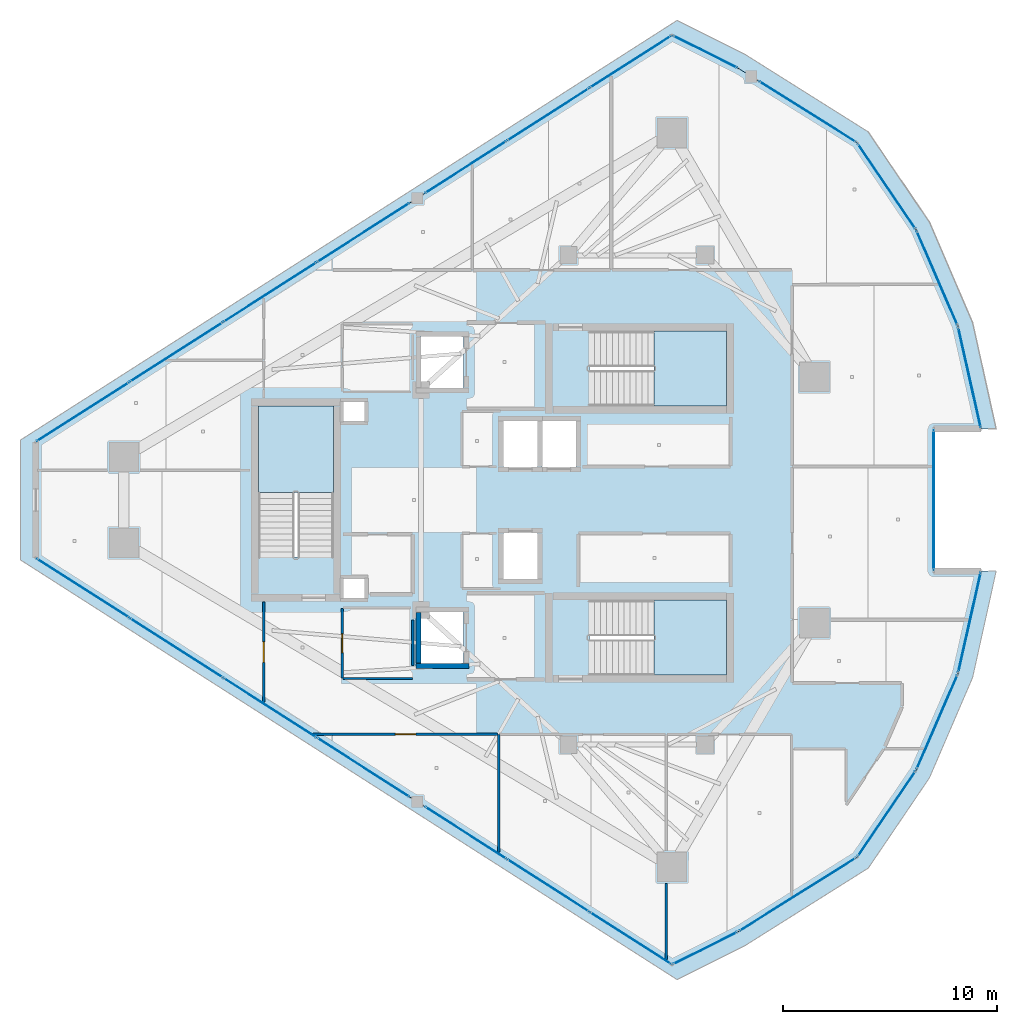
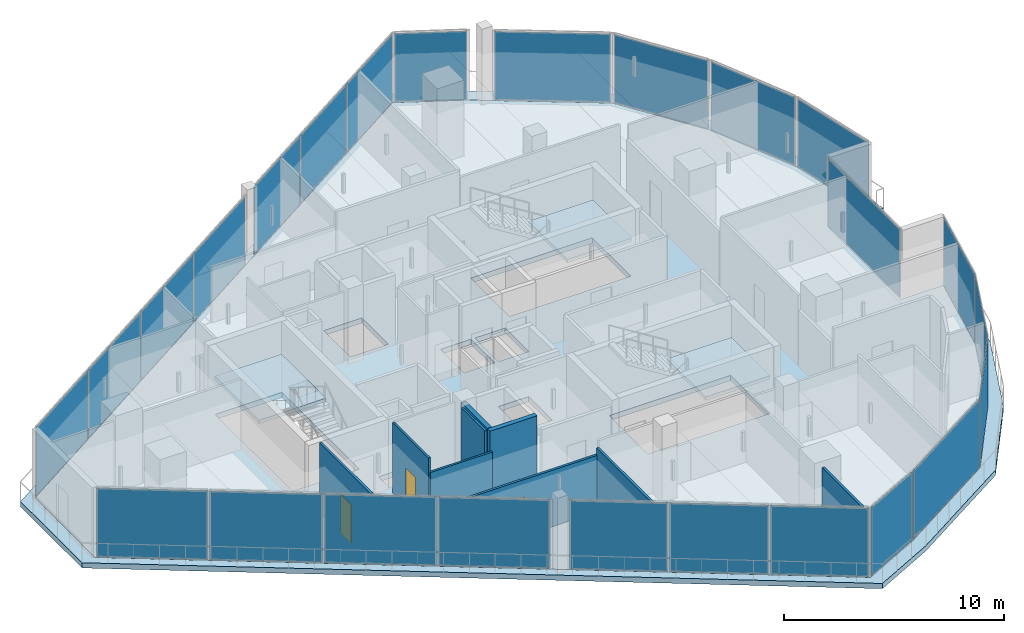
# One storey, part 14 of 23: 25 plates, 9 walls, 5 slabs, 3 doors, 3 openings, 18 elements without a shape of their own.
"""IFC4 building model written with IfcOpenShell, lengths in metres."""

from ifc_helpers import new_model, si_unit, direction, frame, frame_2d, origin, origin_2d, place, context, subcontext, project, spatial, polyline, rectangle, outline, extrude, material, layer, layer_set, type_object, element, fill, aggregate, save


model = new_model("IFC4")

# Units and contexts
model_context = context("Model", 3, precision=1e-05, world=origin(), true_north=direction((0.0, 1.0)))
body_context = subcontext(model_context, "Body", "Model", "MODEL_VIEW")
ifc_project = project(units=[si_unit("LENGTHUNIT", "METRE"), si_unit("AREAUNIT", "SQUARE_METRE"), si_unit("VOLUMEUNIT", "CUBIC_METRE"), si_unit("PLANEANGLEUNIT", "RADIAN"), si_unit("MASSUNIT", "GRAM", prefix="KILO")], contexts=[model_context])

# Site, building, storey
site_placement = place(None, origin())
site = spatial("IfcSite", under=ifc_project, at=site_placement, CompositionType="ELEMENT")
building_placement = place(site_placement, origin())
building = spatial("IfcBuilding", under=site, at=building_placement, Name="Qorvath Tower", CompositionType="ELEMENT")
storey_placement = place(building_placement, frame((0.0, 0.0, 310.199951171875)))
storey = spatial("IfcBuildingStorey", under=building, at=storey_placement, Name="L72", CompositionType="ELEMENT", Elevation=310.199951171875)

# Curtain wall, plates
ifc_material_1 = material(Name="Anodised aluminium and triple low-E glass", Category="aluminium")
ifc_layer_1 = layer(ifc_material_1, 0.179931640625)
ifc_layer_set_1 = layer_set([ifc_layer_1], Name="CW-SYS-4")
curtain_wall_type = type_object("IfcCurtainWallType", Name="CW-SYS-4", PredefinedType="NOTDEFINED", material=ifc_layer_set_1)
curtain_wall_1_placement = place(storey_placement, origin())
curtain_wall_1 = element("IfcCurtainWall", 1, at=curtain_wall_1_placement, inside=storey, type_object=curtain_wall_type, Name="Curtain Wall CW-4 CW-T-L72-2.1", PredefinedType="NOTDEFINED")
ifc_material_2 = material(Name="Acoustic laminated low-E glass", Category="glass")
ifc_layer_2 = layer(ifc_material_2, 0.0380859375)
ifc_layer_set_2 = layer_set([ifc_layer_2], Name="CWP-GLZ-38")
plate_type = type_object("IfcPlateType", Name="CWP-GLZ-38", PredefinedType="CURTAIN_PANEL", material=ifc_layer_set_2)
plate_1_placement = place(storey_placement, frame((-46.31689453125, -4.128662109375, 0.06494140625), z_axis=(0.0, 0.0, 1.0), x_axis=(0.842600938387, -0.538538446751, 0.0)))
plate_1 = element("IfcPlate", 2, at=plate_1_placement, type_object=plate_type, Name="CW-4 panel 1.1", PredefinedType="CURTAIN_PANEL", context=body_context, shape_type="SweptSolid", body=[
    extrude(rectangle(XDim=5.08740234375, YDim=0.0380859375, at=origin_2d()), origin(), (0.0, 0.0, 1.0), 3.780029296875),
])
plate_2_placement = place(storey_placement, frame((-41.951171875, -6.9189453125, 0.06494140625), z_axis=(0.0, 0.0, 1.0), x_axis=(0.842600938387, -0.538538446751, 0.0)))
plate_2 = element("IfcPlate", 3, at=plate_2_placement, type_object=plate_type, Name="CW-4 panel 2.1", PredefinedType="CURTAIN_PANEL", context=body_context, shape_type="SweptSolid", body=[
    extrude(rectangle(XDim=5.125, YDim=0.0380859375, at=origin_2d()), origin(), (0.0, 0.0, 1.0), 3.780029296875),
])
plate_3_placement = place(storey_placement, frame((-37.569580078125, -9.71923828125, 0.06494140625), z_axis=(0.0, 0.0, 1.0), x_axis=(0.842600938387, -0.538538446751, 0.0)))
plate_3 = element("IfcPlate", 4, at=plate_3_placement, type_object=plate_type, Name="CW-4 panel 3.1", PredefinedType="CURTAIN_PANEL", context=body_context, shape_type="SweptSolid", body=[
    extrude(rectangle(XDim=5.125, YDim=0.0380859375, at=origin_2d()), origin(), (0.0, 0.0, 1.0), 3.780029296875),
])
plate_4_placement = place(storey_placement, frame((-33.203857421875, -12.509521484375, 0.06494140625), z_axis=(0.0, 0.0, 1.0), x_axis=(0.842600938387, -0.538538446751, 0.0)))
plate_4 = element("IfcPlate", 5, at=plate_4_placement, type_object=plate_type, Name="CW-4 panel 4.1", PredefinedType="CURTAIN_PANEL", context=body_context, shape_type="SweptSolid", body=[
    extrude(rectangle(XDim=5.08740234375, YDim=0.0380859375, at=origin_2d()), origin(), (0.0, 0.0, 1.0), 3.780029296875),
])
aggregate(curtain_wall_1, [plate_1, plate_2, plate_3, plate_4])

curtain_wall_2_placement = place(storey_placement, origin())
curtain_wall_2 = element("IfcCurtainWall", 6, at=curtain_wall_2_placement, inside=storey, type_object=curtain_wall_type, Name="Curtain Wall CW-4 CW-T-L72-2.2", PredefinedType="NOTDEFINED")
plate_5_placement = place(storey_placement, frame((-28.406982421875, -15.5751953125, 0.06494140625), z_axis=(0.0, 0.0, 1.0), x_axis=(0.842605482847, -0.538531336391, 0.0)))
plate_5 = element("IfcPlate", 7, at=plate_5_placement, type_object=plate_type, Name="CW-4 panel 1.1", PredefinedType="CURTAIN_PANEL", context=body_context, shape_type="SweptSolid", body=[
    extrude(rectangle(XDim=4.478759765625, YDim=0.0380859375, at=origin_2d()), origin(), (0.0, 0.0, 1.0), 3.780029296875),
])
plate_6_placement = place(storey_placement, frame((-24.55419921875, -18.037841796875, 0.06494140625), z_axis=(0.0, 0.0, 1.0), x_axis=(0.842605482847, -0.538531336391, 0.0)))
plate_6 = element("IfcPlate", 8, at=plate_6_placement, type_object=plate_type, Name="CW-4 panel 2.1", PredefinedType="CURTAIN_PANEL", context=body_context, shape_type="SweptSolid", body=[
    extrude(rectangle(XDim=4.516357421875, YDim=0.0380859375, at=origin_2d()), origin(), (0.0, 0.0, 1.0), 3.780029296875),
])
plate_7_placement = place(storey_placement, frame((-20.701416015625, -20.500244140625, 0.06494140625), z_axis=(0.0, 0.0, 1.0), x_axis=(0.842605482847, -0.538531336391, 0.0)))
plate_7 = element("IfcPlate", 9, at=plate_7_placement, type_object=plate_type, Name="CW-4 panel 3.1", PredefinedType="CURTAIN_PANEL", context=body_context, shape_type="SweptSolid", body=[
    extrude(rectangle(XDim=4.478759765625, YDim=0.0380859375, at=origin_2d()), origin(), (0.0, 0.0, 1.0), 3.780029296875),
])
aggregate(curtain_wall_2, [plate_5, plate_6, plate_7])

# Curtain wall, plate
curtain_wall_3_placement = place(storey_placement, origin())
curtain_wall_3 = element("IfcCurtainWall", 10, at=curtain_wall_3_placement, inside=storey, type_object=curtain_wall_type, Name="Curtain Wall CW-4 CW-T-L72-3.1", PredefinedType="NOTDEFINED")
plate_8_placement = place(storey_placement, frame((-17.19775390625, -20.969970703125, 0.06494140625), z_axis=(0.0, 0.0, 1.0), x_axis=(0.894455978485, 0.447156015897, 0.0)))
plate_8 = element("IfcPlate", 11, at=plate_8_placement, type_object=plate_type, Name="CW-4 panel 1.1", PredefinedType="CURTAIN_PANEL", context=body_context, shape_type="SweptSolid", body=[
    extrude(rectangle(XDim=3.323486328125, YDim=0.0380859375, at=origin_2d()), origin(), (0.0, 0.0, 1.0), 3.780029296875),
])
aggregate(curtain_wall_3, [plate_8])

curtain_wall_4_placement = place(storey_placement, origin())
curtain_wall_4 = element("IfcCurtainWall", 12, at=curtain_wall_4_placement, inside=storey, type_object=curtain_wall_type, Name="Curtain Wall CW-4 CW-T-L72-4.1", PredefinedType="NOTDEFINED")
plate_9_placement = place(storey_placement, frame((-12.869384765625, -18.452880859375, 0.06494140625), z_axis=(0.0, 0.0, 1.0), x_axis=(0.847153359291, 0.531348459903, 0.0)))
plate_9 = element("IfcPlate", 13, at=plate_9_placement, type_object=plate_type, Name="CW-4 panel 1.1", PredefinedType="CURTAIN_PANEL", context=body_context, shape_type="SweptSolid", body=[
    extrude(rectangle(XDim=6.40087890625, YDim=0.0380859375, at=origin_2d()), origin(), (0.0, 0.0, 1.0), 3.780029296875),
])
aggregate(curtain_wall_4, [plate_9])

curtain_wall_5_placement = place(storey_placement, origin())
curtain_wall_5 = element("IfcCurtainWall", 14, at=curtain_wall_5_placement, inside=storey, type_object=curtain_wall_type, Name="Curtain Wall CW-4 CW-T-L72-5.1", PredefinedType="NOTDEFINED")
plate_10_placement = place(storey_placement, frame((-8.71240234375, -14.67822265625, 0.06494140625), z_axis=(0.0, 0.0, 1.0), x_axis=(0.562025288166, 0.827120049002, 0.0)))
plate_10 = element("IfcPlate", 15, at=plate_10_placement, type_object=plate_type, Name="CW-4 panel 1.1", PredefinedType="CURTAIN_PANEL", context=body_context, shape_type="SweptSolid", body=[
    extrude(rectangle(XDim=4.76904296875, YDim=0.0380859375, at=origin_2d()), origin(), (0.0, 0.0, 1.0), 3.780029296875),
])
aggregate(curtain_wall_5, [plate_10])

curtain_wall_6_placement = place(storey_placement, origin())
curtain_wall_6 = element("IfcCurtainWall", 16, at=curtain_wall_6_placement, inside=storey, type_object=curtain_wall_type, Name="Curtain Wall CW-4 CW-T-L72-6.1", PredefinedType="NOTDEFINED")
plate_11_placement = place(storey_placement, frame((-6.351806640625, -10.387451171875, 0.06494140625), z_axis=(0.0, 0.0, 1.0), x_axis=(0.397765464938, 0.917487130647, 0.0)))
plate_11 = element("IfcPlate", 17, at=plate_11_placement, type_object=plate_type, Name="CW-4 panel 1.1", PredefinedType="CURTAIN_PANEL", context=body_context, shape_type="SweptSolid", body=[
    extrude(rectangle(XDim=4.76904296875, YDim=0.0380859375, at=origin_2d()), origin(), (0.0, 0.0, 1.0), 3.780029296875),
])
aggregate(curtain_wall_6, [plate_11])

curtain_wall_7_placement = place(storey_placement, origin())
curtain_wall_7 = element("IfcCurtainWall", 18, at=curtain_wall_7_placement, inside=storey, type_object=curtain_wall_type, Name="Curtain Wall CW-4 CW-T-L72-7.1", PredefinedType="NOTDEFINED")
plate_12_placement = place(storey_placement, frame((-4.833740234375, -5.7314453125, 0.06494140625), z_axis=(0.0, 0.0, 1.0), x_axis=(0.219473979449, 0.975618353838, 0.0)))
plate_12 = element("IfcPlate", 19, at=plate_12_placement, type_object=plate_type, Name="CW-4 panel 1.1", PredefinedType="CURTAIN_PANEL", context=body_context, shape_type="SweptSolid", body=[
    extrude(rectangle(XDim=4.76904296875, YDim=0.0380859375, at=origin_2d()), origin(), (0.0, 0.0, 1.0), 3.780029296875),
])
aggregate(curtain_wall_7, [plate_12])

curtain_wall_8_placement = place(storey_placement, origin())
curtain_wall_8 = element("IfcCurtainWall", 20, at=curtain_wall_8_placement, inside=storey, type_object=curtain_wall_type, Name="Curtain Wall CW-4 CW-T-L72-9.1", PredefinedType="NOTDEFINED")
plate_13_placement = place(storey_placement, frame((-6.51513671875, 0.0, 0.06494140625), z_axis=(0.0, 0.0, 1.0), x_axis=(0.0, 1.0, 0.0)))
plate_13 = element("IfcPlate", 21, at=plate_13_placement, type_object=plate_type, Name="CW-4 panel 1.1", PredefinedType="CURTAIN_PANEL", context=body_context, shape_type="SweptSolid", body=[
    extrude(rectangle(XDim=6.513671875, YDim=0.0380859375, at=origin_2d()), origin(), (0.0, 0.0, 1.0), 3.780029296875),
])
aggregate(curtain_wall_8, [plate_13])

curtain_wall_9_placement = place(storey_placement, origin())
curtain_wall_9 = element("IfcCurtainWall", 22, at=curtain_wall_9_placement, inside=storey, type_object=curtain_wall_type, Name="Curtain Wall CW-4 CW-T-L72-11.1", PredefinedType="NOTDEFINED")
plate_14_placement = place(storey_placement, frame((-4.833740234375, 5.7314453125, 0.06494140625), z_axis=(0.0, 0.0, 1.0), x_axis=(-0.219473979449, 0.975618353838, 0.0)))
plate_14 = element("IfcPlate", 23, at=plate_14_placement, type_object=plate_type, Name="CW-4 panel 1.1", PredefinedType="CURTAIN_PANEL", context=body_context, shape_type="SweptSolid", body=[
    extrude(rectangle(XDim=4.76904296875, YDim=0.0380859375, at=origin_2d()), origin(), (0.0, 0.0, 1.0), 3.780029296875),
])
aggregate(curtain_wall_9, [plate_14])

curtain_wall_10_placement = place(storey_placement, origin())
curtain_wall_10 = element("IfcCurtainWall", 24, at=curtain_wall_10_placement, inside=storey, type_object=curtain_wall_type, Name="Curtain Wall CW-4 CW-T-L72-12.1", PredefinedType="NOTDEFINED")
plate_15_placement = place(storey_placement, frame((-6.351806640625, 10.387451171875, 0.06494140625), z_axis=(0.0, 0.0, 1.0), x_axis=(-0.397765464938, 0.917487130647, 0.0)))
plate_15 = element("IfcPlate", 25, at=plate_15_placement, type_object=plate_type, Name="CW-4 panel 1.1", PredefinedType="CURTAIN_PANEL", context=body_context, shape_type="SweptSolid", body=[
    extrude(rectangle(XDim=4.76904296875, YDim=0.0380859375, at=origin_2d()), origin(), (0.0, 0.0, 1.0), 3.780029296875),
])
aggregate(curtain_wall_10, [plate_15])

curtain_wall_11_placement = place(storey_placement, origin())
curtain_wall_11 = element("IfcCurtainWall", 26, at=curtain_wall_11_placement, inside=storey, type_object=curtain_wall_type, Name="Curtain Wall CW-4 CW-T-L72-13.1", PredefinedType="NOTDEFINED")
plate_16_placement = place(storey_placement, frame((-8.71240234375, 14.67822265625, 0.06494140625), z_axis=(0.0, 0.0, 1.0), x_axis=(-0.562025288166, 0.827120049002, 0.0)))
plate_16 = element("IfcPlate", 27, at=plate_16_placement, type_object=plate_type, Name="CW-4 panel 1.1", PredefinedType="CURTAIN_PANEL", context=body_context, shape_type="SweptSolid", body=[
    extrude(rectangle(XDim=4.76904296875, YDim=0.0380859375, at=origin_2d()), origin(), (0.0, 0.0, 1.0), 3.780029296875),
])
aggregate(curtain_wall_11, [plate_16])

curtain_wall_12_placement = place(storey_placement, origin())
curtain_wall_12 = element("IfcCurtainWall", 28, at=curtain_wall_12_placement, inside=storey, type_object=curtain_wall_type, Name="Curtain Wall CW-4 CW-T-L72-14.1", PredefinedType="NOTDEFINED")
plate_17_placement = place(storey_placement, frame((-12.410400390625, 18.1650390625, 0.06494140625), z_axis=(0.0, 0.0, 1.0), x_axis=(-0.847160763256, 0.531336655238, 0.0)))
plate_17 = element("IfcPlate", 29, at=plate_17_placement, type_object=plate_type, Name="CW-4 panel 1.1", PredefinedType="CURTAIN_PANEL", context=body_context, shape_type="SweptSolid", body=[
    extrude(rectangle(XDim=5.31689453125, YDim=0.0380859375, at=origin_2d()), origin(), (0.0, 0.0, 1.0), 3.780029296875),
])
aggregate(curtain_wall_12, [plate_17])

curtain_wall_13_placement = place(storey_placement, origin())
curtain_wall_13 = element("IfcCurtainWall", 30, at=curtain_wall_13_placement, inside=storey, type_object=curtain_wall_type, Name="Curtain Wall CW-4 CW-T-L72-15.1", PredefinedType="NOTDEFINED")
plate_18_placement = place(storey_placement, frame((-17.19775390625, 20.969970703125, 0.06494140625), z_axis=(0.0, 0.0, 1.0), x_axis=(-0.894455978485, 0.447156015897, 0.0)))
plate_18 = element("IfcPlate", 31, at=plate_18_placement, type_object=plate_type, Name="CW-4 panel 1.1", PredefinedType="CURTAIN_PANEL", context=body_context, shape_type="SweptSolid", body=[
    extrude(rectangle(XDim=3.323486328125, YDim=0.0380859375, at=origin_2d()), origin(), (0.0, 0.0, 1.0), 3.780029296875),
])
aggregate(curtain_wall_13, [plate_18])

# Curtain wall, plates
curtain_wall_14_placement = place(storey_placement, origin())
curtain_wall_14 = element("IfcCurtainWall", 32, at=curtain_wall_14_placement, inside=storey, type_object=curtain_wall_type, Name="Curtain Wall CW-4 CW-T-L72-16.1", PredefinedType="NOTDEFINED")
plate_19_placement = place(storey_placement, frame((-20.701416015625, 20.500244140625, 0.06494140625), z_axis=(0.0, 0.0, 1.0), x_axis=(-0.842605482847, -0.538531336391, 0.0)))
plate_19 = element("IfcPlate", 33, at=plate_19_placement, type_object=plate_type, Name="CW-4 panel 1.1", PredefinedType="CURTAIN_PANEL", context=body_context, shape_type="SweptSolid", body=[
    extrude(rectangle(XDim=4.478759765625, YDim=0.0380859375, at=origin_2d()), origin(), (0.0, 0.0, 1.0), 3.780029296875),
])
plate_20_placement = place(storey_placement, frame((-24.55419921875, 18.037841796875, 0.06494140625), z_axis=(0.0, 0.0, 1.0), x_axis=(-0.842605482847, -0.538531336391, 0.0)))
plate_20 = element("IfcPlate", 34, at=plate_20_placement, type_object=plate_type, Name="CW-4 panel 2.1", PredefinedType="CURTAIN_PANEL", context=body_context, shape_type="SweptSolid", body=[
    extrude(rectangle(XDim=4.516357421875, YDim=0.0380859375, at=origin_2d()), origin(), (0.0, 0.0, 1.0), 3.780029296875),
])
plate_21_placement = place(storey_placement, frame((-28.406982421875, 15.5751953125, 0.06494140625), z_axis=(0.0, 0.0, 1.0), x_axis=(-0.842605482847, -0.538531336391, 0.0)))
plate_21 = element("IfcPlate", 35, at=plate_21_placement, type_object=plate_type, Name="CW-4 panel 3.1", PredefinedType="CURTAIN_PANEL", context=body_context, shape_type="SweptSolid", body=[
    extrude(rectangle(XDim=4.478759765625, YDim=0.0380859375, at=origin_2d()), origin(), (0.0, 0.0, 1.0), 3.780029296875),
])
aggregate(curtain_wall_14, [plate_19, plate_20, plate_21])

curtain_wall_15_placement = place(storey_placement, origin())
curtain_wall_15 = element("IfcCurtainWall", 36, at=curtain_wall_15_placement, inside=storey, type_object=curtain_wall_type, Name="Curtain Wall CW-4 CW-T-L72-16.2", PredefinedType="NOTDEFINED")
plate_22_placement = place(storey_placement, frame((-33.203857421875, 12.509521484375, 0.06494140625), z_axis=(0.0, 0.0, 1.0), x_axis=(-0.842600938387, -0.538538446751, 0.0)))
plate_22 = element("IfcPlate", 37, at=plate_22_placement, type_object=plate_type, Name="CW-4 panel 1.1", PredefinedType="CURTAIN_PANEL", context=body_context, shape_type="SweptSolid", body=[
    extrude(rectangle(XDim=5.08740234375, YDim=0.0380859375, at=origin_2d()), origin(), (0.0, 0.0, 1.0), 3.780029296875),
])
plate_23_placement = place(storey_placement, frame((-37.569580078125, 9.71923828125, 0.06494140625), z_axis=(0.0, 0.0, 1.0), x_axis=(-0.842600938387, -0.538538446751, 0.0)))
plate_23 = element("IfcPlate", 38, at=plate_23_placement, type_object=plate_type, Name="CW-4 panel 2.1", PredefinedType="CURTAIN_PANEL", context=body_context, shape_type="SweptSolid", body=[
    extrude(rectangle(XDim=5.125, YDim=0.0380859375, at=origin_2d()), origin(), (0.0, 0.0, 1.0), 3.780029296875),
])
plate_24_placement = place(storey_placement, frame((-41.951171875, 6.9189453125, 0.06494140625), z_axis=(0.0, 0.0, 1.0), x_axis=(-0.842600938387, -0.538538446751, 0.0)))
plate_24 = element("IfcPlate", 39, at=plate_24_placement, type_object=plate_type, Name="CW-4 panel 3.1", PredefinedType="CURTAIN_PANEL", context=body_context, shape_type="SweptSolid", body=[
    extrude(rectangle(XDim=5.125, YDim=0.0380859375, at=origin_2d()), origin(), (0.0, 0.0, 1.0), 3.780029296875),
])
plate_25_placement = place(storey_placement, frame((-46.31689453125, 4.128662109375, 0.06494140625), z_axis=(0.0, 0.0, 1.0), x_axis=(-0.842600938387, -0.538538446751, 0.0)))
plate_25 = element("IfcPlate", 40, at=plate_25_placement, type_object=plate_type, Name="CW-4 panel 4.1", PredefinedType="CURTAIN_PANEL", context=body_context, shape_type="SweptSolid", body=[
    extrude(rectangle(XDim=5.08740234375, YDim=0.0380859375, at=origin_2d()), origin(), (0.0, 0.0, 1.0), 3.780029296875),
])
aggregate(curtain_wall_15, [plate_22, plate_23, plate_24, plate_25])

# Slab
ifc_material_3 = material(Name="Concrete C50/60", Category="concrete")
ifc_layer_3 = layer(ifc_material_3, 0.2900390625)
ifc_layer_set_3 = layer_set([ifc_layer_3], Name="SL-EXEC-290")
slab_type_1 = type_object("IfcSlabType", Name="SL-EXEC-290", PredefinedType="FLOOR", material=ifc_layer_set_3)
slab_1_placement = place(storey_placement, frame((0.0, 0.0, -0.2900390625)))
element("IfcSlab", 41, at=slab_1_placement, inside=storey, type_object=slab_type_1, Name="Tower L72 Interior Floor Slab", PredefinedType="FLOOR", context=body_context, shape_type="SweptSolid", body=[
    extrude(outline(polyline([(-48.5234375, 2.71826171875), (-48.5234375, -2.71826171875), (-18.751220703125, -21.74658203125), (-15.644287109375, -20.193359375), (-10.0947265625, -16.712646484375), (-7.330078125, -12.64404296875), (-5.37353515625, -8.130859375), (-4.2939453125, -3.331787109375), (-6.51513671875, -3.331787109375), (-6.51513671875, 3.331787109375), (-4.2939453125, 3.331787109375), (-5.37353515625, 8.130859375), (-7.330078125, 12.64404296875), (-10.0947265625, 16.712646484375), (-15.644287109375, 20.193359375), (-18.751220703125, 21.74658203125), (-48.5234375, 2.71826171875)]), holes=[polyline([(-16.2451171875, -8.199951171875), (-22.625, -8.199951171875), (-22.625, -4.68994140625), (-16.2451171875, -4.68994140625), (-16.2451171875, -8.199951171875)]), polyline([(-22.625, 4.39990234375), (-22.625, 7.909912109375), (-16.2451171875, 7.909912109375), (-16.2451171875, 4.39990234375), (-22.625, 4.39990234375)]), polyline([(-23.25, 1.550048828125), (-24.85009765625, 1.550048828125), (-24.85009765625, 3.699951171875), (-23.25, 3.699951171875), (-23.25, 1.550048828125)]), polyline([(-26.64990234375, -3.699951171875), (-26.64990234375, -1.550048828125), (-25.050048828125, -1.550048828125), (-25.050048828125, -3.699951171875), (-26.64990234375, -3.699951171875)]), polyline([(-25.050048828125, 1.550048828125), (-26.64990234375, 1.550048828125), (-26.64990234375, 3.699951171875), (-25.050048828125, 3.699951171875), (-25.050048828125, 1.550048828125)]), polyline([(-28.5, -7.64990234375), (-30.5, -7.64990234375), (-30.5, -5.25), (-28.5, -5.25), (-28.5, -7.64990234375)]), polyline([(-30.5, 5.25), (-30.5, 7.64990234375), (-28.5, 7.64990234375), (-28.5, 5.25), (-30.5, 5.25)]), polyline([(-33.10009765625, -4.6201171875), (-34.14990234375, -4.6201171875), (-34.14990234375, -3.64990234375), (-33.10009765625, -3.64990234375), (-33.10009765625, -4.6201171875)]), polyline([(-33.10009765625, 3.64990234375), (-34.14990234375, 3.64990234375), (-34.14990234375, 4.6201171875), (-33.10009765625, 4.6201171875), (-33.10009765625, 3.64990234375)]), polyline([(-34.60009765625, -2.675048828125), (-38.110107421875, -2.675048828125), (-38.110107421875, 4.35498046875), (-34.60009765625, 4.35498046875), (-34.60009765625, -2.675048828125)])]), origin(), (0.0, 0.0, 1.0), 0.2900390625),
])

# Stair, slab
ifc_material_4 = material(Name="Concrete C50/60", Category="concrete")
stair_type = type_object("IfcStairType", Name="ST-H420", PredefinedType="HALF_TURN_STAIR", material=ifc_material_4)
stair_1_placement = place(storey_placement, origin())
stair_1 = element("IfcStair", 42, at=stair_1_placement, inside=storey, type_object=stair_type, Name="L72 Tower Exit Stair 1", PredefinedType="HALF_TURN_STAIR")
ifc_material_5 = material(Name="Concrete C50/60", Category="concrete")
ifc_layer_4 = layer(ifc_material_5, 0.199951171875)
ifc_layer_set_4 = layer_set([ifc_layer_4], Name="SL-LND-200")
slab_type_2 = type_object("IfcSlabType", Name="SL-LND-200", PredefinedType="LANDING", material=ifc_layer_set_4)
slab_2_placement = place(storey_placement, frame((0.0, 0.0, 1.900146484375)))
slab_2 = element("IfcSlab", 43, at=slab_2_placement, type_object=slab_type_2, Name="TS1 landing 1", PredefinedType="LANDING", context=body_context, shape_type="SweptSolid", body=[
    extrude(outline(polyline([(-19.590087890625, 4.39990234375), (-16.199951171875, 4.39990234375), (-16.199951171875, 7.909912109375), (-19.590087890625, 7.909912109375), (-19.590087890625, 4.39990234375)])), origin(), (0.0, 0.0, 1.0), 0.199951171875),
])
aggregate(stair_1, [slab_2])

stair_2_placement = place(storey_placement, origin())
stair_2 = element("IfcStair", 44, at=stair_2_placement, inside=storey, type_object=stair_type, Name="L72 Tower Exit Stair 2", PredefinedType="HALF_TURN_STAIR")
slab_3_placement = place(storey_placement, frame((0.0, 0.0, 1.900146484375)))
slab_3 = element("IfcSlab", 45, at=slab_3_placement, type_object=slab_type_2, Name="TS2 landing 1", PredefinedType="LANDING", context=body_context, shape_type="SweptSolid", body=[
    extrude(outline(polyline([(-19.590087890625, -8.199951171875), (-16.199951171875, -8.199951171875), (-16.199951171875, -4.68994140625), (-19.590087890625, -4.68994140625), (-19.590087890625, -8.199951171875)])), origin(), (0.0, 0.0, 1.0), 0.199951171875),
])
aggregate(stair_2, [slab_3])

stair_3_placement = place(storey_placement, origin())
stair_3 = element("IfcStair", 46, at=stair_3_placement, inside=storey, type_object=stair_type, Name="L72 Tower Exit Stair 3", PredefinedType="HALF_TURN_STAIR")
slab_4_placement = place(storey_placement, frame((0.0, 0.0, 1.900146484375)))
slab_4 = element("IfcSlab", 47, at=slab_4_placement, type_object=slab_type_2, Name="TS3 landing 1", PredefinedType="LANDING", context=body_context, shape_type="SweptSolid", body=[
    extrude(outline(polyline([(-34.60009765625, 0.360107421875), (-34.60009765625, 4.39990234375), (-38.110107421875, 4.39990234375), (-38.110107421875, 0.360107421875), (-34.60009765625, 0.360107421875)])), origin(), (0.0, 0.0, 1.0), 0.199951171875),
])
aggregate(stair_3, [slab_4])

# Slab
ifc_material_6 = material(Name="Precast concrete C45/55", Category="concrete")
ifc_layer_5 = layer(ifc_material_6, 0.2900390625)
ifc_layer_set_5 = layer_set([ifc_layer_5], Name="SL-LOG-290")
slab_type_3 = type_object("IfcSlabType", Name="SL-LOG-290", PredefinedType="FLOOR", material=ifc_layer_set_5)
slab_5_placement = place(storey_placement, frame((0.0, 0.0, -0.2900390625)))
element("IfcSlab", 48, at=slab_5_placement, inside=storey, type_object=slab_type_3, Name="Tower L72 Perimeter Loggia and Terrace Slab", PredefinedType="FLOOR", context=body_context, shape_type="SweptSolid", body=[
    extrude(outline(polyline([(-15.31494140625, 20.835693359375), (-18.5205078125, 22.4384765625), (-49.23974609375, 2.8046875), (-49.23974609375, -2.8046875), (-18.5205078125, -22.4384765625), (-15.31494140625, -20.835693359375), (-9.57177734375, -17.2236328125), (-6.71044921875, -12.99951171875), (-4.692626953125, -8.313232421875), (-3.590087890625, -3.331787109375), (-4.2939453125, -3.331787109375), (-5.37353515625, -8.130859375), (-7.330078125, -12.64404296875), (-10.0947265625, -16.712646484375), (-15.644287109375, -20.193359375), (-18.751220703125, -21.74658203125), (-48.5234375, -2.71826171875), (-48.5234375, 2.71826171875), (-18.751220703125, 21.74658203125), (-15.644287109375, 20.193359375), (-10.0947265625, 16.712646484375), (-7.330078125, 12.64404296875), (-5.37353515625, 8.130859375), (-4.2939453125, 3.331787109375), (-3.590087890625, 3.331787109375), (-4.692626953125, 8.313232421875), (-6.71044921875, 12.99951171875), (-9.57177734375, 17.2236328125), (-15.31494140625, 20.835693359375)])), origin(), (0.0, 0.0, 1.0), 0.2900390625),
])

# Wall
ifc_material_7 = material(Name="Gypsum board on metal studs with mineral wool", Category="gypsum")
ifc_layer_6 = layer(ifc_material_7, 0.125)
ifc_layer_set_6 = layer_set([ifc_layer_6], Name="IW-PART-125")
wall_type_1 = type_object("IfcWallType", Name="IW-PART-125", PredefinedType="PARTITIONING", material=ifc_layer_set_6)
wall_1_placement = place(storey_placement, frame((-26.864990234375, -16.48095703125, 0.0), z_axis=(0.0, 0.0, 1.0), x_axis=(0.0, 1.0, 0.0)))
element("IfcWall", 49, at=wall_1_placement, inside=storey, type_object=wall_type_1, Name="Interior Partition IW-T1-L72-033", PredefinedType="PARTITIONING", context=body_context, shape_type="SweptSolid", body=[
    extrude(rectangle(XDim=5.498046875, YDim=0.125, at=frame_2d((2.7490234375, 0.0))), origin(), (0.0, 0.0, 1.0), 3.529052734375),
])

# Wall, opening, door
wall_2_placement = place(storey_placement, frame((-26.889892578125, -10.9580078125, 0.0), z_axis=(0.0, 0.0, 1.0), x_axis=(-1.0, 0.0, 0.0)))
wall_2 = element("IfcWall", 50, at=wall_2_placement, inside=storey, type_object=wall_type_1, Name="Interior Partition IW-T1-L72-034", PredefinedType="PARTITIONING", context=body_context, shape_type="SweptSolid", body=[
    extrude(rectangle(XDim=8.661376953125, YDim=0.125, at=frame_2d((4.33056640625, 0.0))), origin(), (0.0, 0.0, 1.0), 3.130126953125),
])
opening_1_placement = place(wall_2_placement, frame((3.855712890625, 0.0, 0.0)))
opening_1 = element("IfcOpeningElement", 51, at=opening_1_placement, cuts=wall_2, Name="Opening D-T1-L72-09", PredefinedType="OPENING", context=body_context, shape_type="SweptSolid", body=[
    extrude(rectangle(XDim=0.949951171875, YDim=2.14990234375, at=frame_2d((0.47509765625, 1.074951171875))), frame((0.0, 0.072509765625, 0.0), z_axis=(0.0, -1.0, 0.0), x_axis=(1.0, 0.0, 0.0)), (0.0, 0.0, 1.0), 0.14501953125),
])
ifc_material_8 = material(Name="Solid-core American white oak veneer", Category="wood")
door_type_1 = type_object("IfcDoorType", Name="D-01", OperationType="NOTDEFINED", PredefinedType="DOOR", material=ifc_material_8)
door_1_placement = place(opening_1_placement, origin())
door_1 = element("IfcDoor", 52, at=door_1_placement, inside=storey, type_object=door_type_1, Name="L72-04 Staff Wellness Studio Door D-T1-L72-09", OperationType="SINGLE_SWING_RIGHT", OverallHeight=2.14990234375, OverallWidth=0.949951171875, PredefinedType="DOOR", context=body_context, shape_type="SweptSolid", body=[
    extrude(rectangle(XDim=0.949951171875, YDim=2.14990234375, at=frame_2d((0.47509765625, 1.074951171875))), frame((0.0, 0.02490234375, 0.0), z_axis=(0.0, -1.0, 0.0), x_axis=(1.0, 0.0, 0.0)), (0.0, 0.0, 1.0), 0.050048828125),
])
fill(opening_1, door_1)

# Wall
wall_3_placement = place(storey_placement, frame((-19.027099609375, -21.490234375, 0.0), z_axis=(0.0, 0.0, 1.0), x_axis=(0.0, 1.0, 0.0)))
element("IfcWall", 53, at=wall_3_placement, inside=storey, type_object=wall_type_1, Name="Interior Partition IW-T1-L72-036", PredefinedType="PARTITIONING", context=body_context, shape_type="SweptSolid", body=[
    extrude(rectangle(XDim=3.549560546875, YDim=0.125, at=frame_2d((1.77490234375, 0.0))), origin(), (0.0, 0.0, 1.0), 3.91015625),
])

# Wall, opening, door
wall_4_placement = place(storey_placement, frame((-37.85791015625, -9.454833984375, 0.0), z_axis=(0.0, 0.0, 1.0), x_axis=(0.0, 1.0, 0.0)))
wall_4 = element("IfcWall", 54, at=wall_4_placement, inside=storey, type_object=wall_type_1, Name="Interior Partition IW-T1-L72-052", PredefinedType="PARTITIONING", context=body_context, shape_type="SweptSolid", body=[
    extrude(rectangle(XDim=4.671630859375, YDim=0.125, at=frame_2d((2.3359375, 0.0))), origin(), (0.0, 0.0, 1.0), 3.91015625),
])
opening_2_placement = place(wall_4_placement, frame((1.86083984375, 0.0, 0.0)))
opening_2 = element("IfcOpeningElement", 55, at=opening_2_placement, cuts=wall_4, Name="Opening D-T1-L72-16", PredefinedType="OPENING", context=body_context, shape_type="SweptSolid", body=[
    extrude(rectangle(XDim=0.949951171875, YDim=2.14990234375, at=frame_2d((0.47509765625, 1.074951171875))), frame((0.0, 0.072509765625, 0.0), z_axis=(0.0, -1.0, 0.0), x_axis=(1.0, 0.0, 0.0)), (0.0, 0.0, 1.0), 0.14501953125),
])
door_2_placement = place(opening_2_placement, origin())
door_2 = element("IfcDoor", 56, at=door_2_placement, inside=storey, type_object=door_type_1, Name="L72-11 Open Workplace Studio Door D-T1-L72-16", OperationType="SINGLE_SWING_LEFT", OverallHeight=2.14990234375, OverallWidth=0.949951171875, PredefinedType="DOOR", context=body_context, shape_type="SweptSolid", body=[
    extrude(rectangle(XDim=0.949951171875, YDim=2.14990234375, at=frame_2d((0.47509765625, 1.074951171875))), frame((0.0, 0.02490234375, 0.0), z_axis=(0.0, -1.0, 0.0), x_axis=(1.0, 0.0, 0.0)), (0.0, 0.0, 1.0), 0.050048828125),
])
fill(opening_2, door_2)

# Walls
ifc_material_9 = material(Name="Moisture-resistant cement board on metal studs", Category="gypsum")
ifc_layer_7 = layer(ifc_material_9, 0.110107421875)
ifc_layer_set_7 = layer_set([ifc_layer_7], Name="IW-WC-110")
wall_type_2 = type_object("IfcWallType", Name="IW-WC-110", PredefinedType="PARTITIONING", material=ifc_layer_set_7)
wall_5_placement = place(storey_placement, frame((-34.15478515625, -8.35009765625, 0.0), z_axis=(0.0, 0.0, 1.0), x_axis=(1.0, 0.0, 0.0)))
element("IfcWall", 57, at=wall_5_placement, inside=storey, type_object=wall_type_2, Name="Interior Partition IW-T1-L72-009", PredefinedType="PARTITIONING", context=body_context, shape_type="SweptSolid", body=[
    extrude(rectangle(XDim=3.25, YDim=0.110107421875, at=frame_2d((1.625, 0.0))), origin(), (0.0, 0.0, 1.0), 3.130126953125),
])
wall_6_placement = place(storey_placement, frame((-30.8798828125, -7.742919921875, 0.0), z_axis=(0.0, 0.0, 1.0), x_axis=(0.0, 1.0, 0.0)))
element("IfcWall", 58, at=wall_6_placement, inside=storey, type_object=wall_type_2, Name="Interior Partition IW-T1-L72-010", PredefinedType="PARTITIONING", context=body_context, shape_type="SweptSolid", body=[
    extrude(rectangle(XDim=2.1279296875, YDim=0.110107421875, at=frame_2d((1.06396484375, 0.0))), origin(), (0.0, 0.0, 1.0), 3.91015625),
])

# Wall, opening, door
wall_7_placement = place(storey_placement, frame((-34.179931640625, -5.074951171875, 0.0), z_axis=(0.0, 0.0, 1.0), x_axis=(0.0, -1.0, 0.0)))
wall_7 = element("IfcWall", 59, at=wall_7_placement, inside=storey, type_object=wall_type_2, Name="Interior Partition IW-T1-L72-012", PredefinedType="PARTITIONING", context=body_context, shape_type="SweptSolid", body=[
    extrude(rectangle(XDim=3.250244140625, YDim=0.110107421875, at=frame_2d((1.625, 0.0))), origin(), (0.0, 0.0, 1.0), 3.91015625),
])
opening_3_placement = place(wall_7_placement, frame((1.18505859375, 0.0, 0.0)))
opening_3 = element("IfcOpeningElement", 60, at=opening_3_placement, cuts=wall_7, Name="Opening D-T1-L72-02", PredefinedType="OPENING", context=body_context, shape_type="SweptSolid", body=[
    extrude(rectangle(XDim=0.8798828125, YDim=2.10009765625, at=frame_2d((0.43994140625, 1.050048828125))), frame((0.0, 0.06494140625, 0.0), z_axis=(0.0, -1.0, 0.0), x_axis=(1.0, 0.0, 0.0)), (0.0, 0.0, 1.0), 0.130126953125),
])
ifc_material_10 = material(Name="Solid-core oak with acoustic drop seal", Category="wood")
door_type_2 = type_object("IfcDoorType", Name="D-02", OperationType="NOTDEFINED", PredefinedType="DOOR", material=ifc_material_10)
door_3_placement = place(opening_3_placement, origin())
door_3 = element("IfcDoor", 61, at=door_3_placement, inside=storey, type_object=door_type_2, Name="WC All-Gender South L72 Door D-T1-L72-02", OperationType="SINGLE_SWING_LEFT", OverallHeight=2.10009765625, OverallWidth=0.8798828125, PredefinedType="DOOR", context=body_context, shape_type="SweptSolid", body=[
    extrude(rectangle(XDim=0.8798828125, YDim=2.10009765625, at=frame_2d((0.43994140625, 1.050048828125))), frame((0.0, 0.02490234375, 0.0), z_axis=(0.0, -1.0, 0.0), x_axis=(1.0, 0.0, 0.0)), (0.0, 0.0, 1.0), 0.050048828125),
])
fill(opening_3, door_3)

# Walls
ifc_material_11 = material(Name="Concrete C60/75", Category="concrete")
ifc_layer_8 = layer(ifc_material_11, 0.260009765625)
ifc_layer_set_8 = layer_set([ifc_layer_8], Name="SW-SHAFT")
wall_type_3 = type_object("IfcWallType", Name="SW-SHAFT", PredefinedType="SHEAR", material=ifc_layer_set_8)
wall_8_placement = place(storey_placement, frame((-28.260009765625, -7.77001953125, 0.0), z_axis=(0.0, 0.0, 1.0), x_axis=(-1.0, 0.0, 0.0)))
element("IfcWall", 62, at=wall_8_placement, inside=storey, type_object=wall_type_3, Name="Hoistway Wall FSAE-2 L72 S", PredefinedType="SHEAR", context=body_context, shape_type="SweptSolid", body=[
    extrude(rectangle(XDim=2.47998046875, YDim=0.239990234375, at=frame_2d((1.239990234375, 0.0))), origin(), (0.0, 0.0, 1.0), 3.91015625),
])
wall_9_placement = place(storey_placement, frame((-30.6201171875, -7.637939453125, 0.0), z_axis=(0.0, 0.0, 1.0), x_axis=(0.0, 1.0, 0.0)))
element("IfcWall", 63, at=wall_9_placement, inside=storey, type_object=wall_type_3, Name="Hoistway Wall FSAE-2 L72 W", PredefinedType="SHEAR", context=body_context, shape_type="SweptSolid", body=[
    extrude(rectangle(XDim=2.3759765625, YDim=0.239990234375, at=frame_2d((1.18798828125, 0.0))), origin(), (0.0, 0.0, 1.0), 3.91015625),
])

save(model, "model.ifc")
